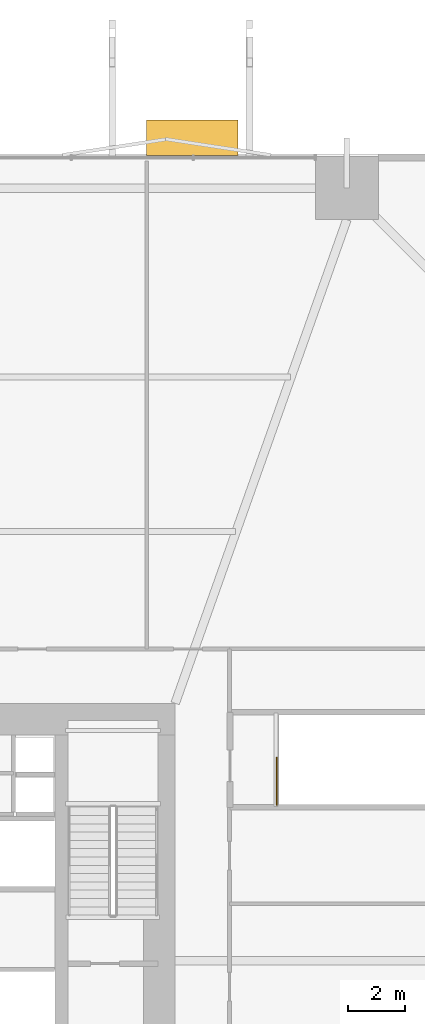
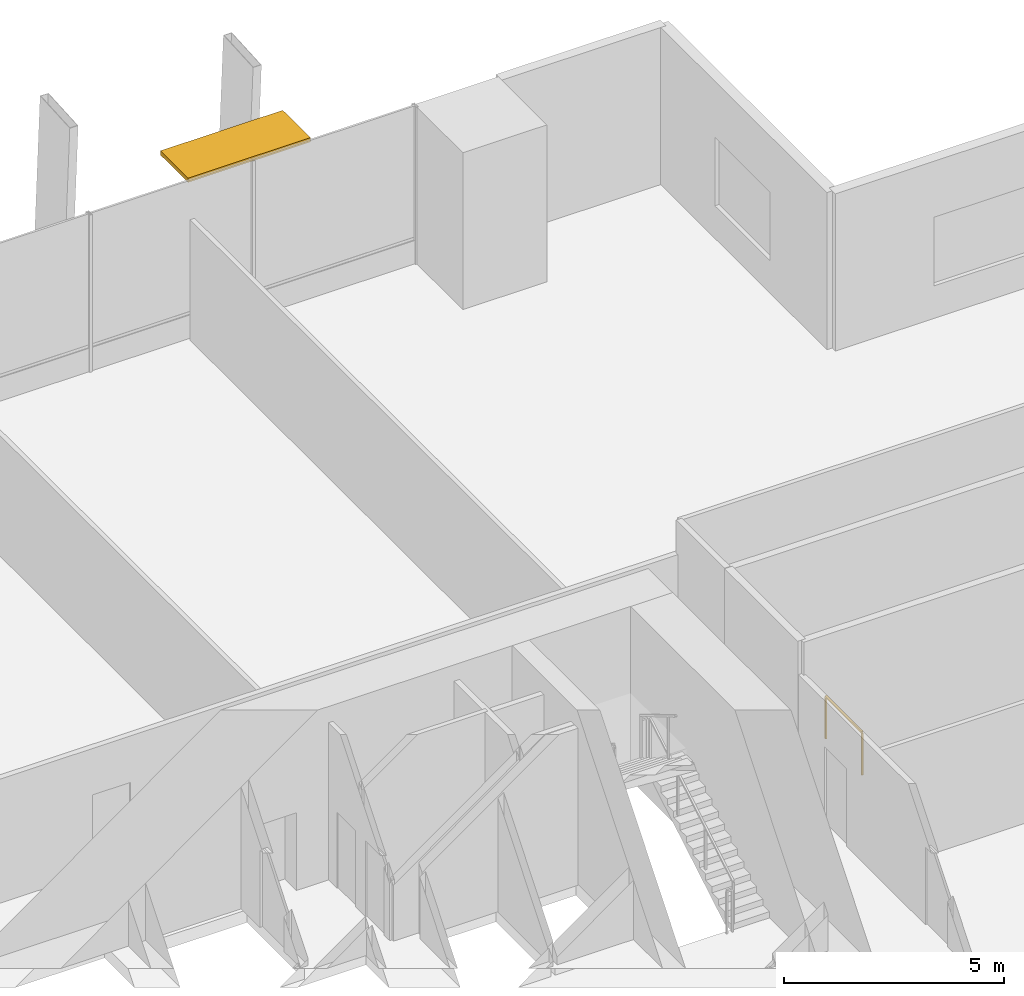
# One storey, part 24 of 24: 1 railing, 1 shading device.
"""IFC4 building model written with IfcOpenShell, lengths in metres."""

from ifc_helpers import new_model, si_unit, direction, frame, origin, origin_2d, place, context, subcontext, project, spatial, rectangle, extrude, material, layer, layer_set, type_object, element, save


model = new_model("IFC4")

# Units and contexts
model_context = context("Model", 3, precision=1e-05, world=origin(), true_north=direction((0.0, 1.0)))
body_context = subcontext(model_context, "Body", "Model", "MODEL_VIEW")
ifc_project = project(units=[si_unit("LENGTHUNIT", "METRE"), si_unit("AREAUNIT", "SQUARE_METRE"), si_unit("VOLUMEUNIT", "CUBIC_METRE"), si_unit("PLANEANGLEUNIT", "RADIAN"), si_unit("MASSUNIT", "GRAM", prefix="KILO")], contexts=[model_context])

# Site, building, storey
site_placement = place(None, origin())
site = spatial("IfcSite", under=ifc_project, at=site_placement, CompositionType="ELEMENT")
building_placement = place(site_placement, origin())
building = spatial("IfcBuilding", under=site, at=building_placement, Name="Belovzor Exchange Tower", CompositionType="ELEMENT")
storey_placement = place(building_placement, frame((0.0, 0.0, 19.199951171875)))
storey = spatial("IfcBuildingStorey", under=building, at=storey_placement, Name="L04", CompositionType="ELEMENT", Elevation=19.199951171875)

# Railing
ifc_material_1 = material(Name="Steel S355", Category="steel")
railing_type = type_object("IfcRailingType", Name="Painted Steel Stairwell Guardrail 1200", PredefinedType="GUARDRAIL", material=ifc_material_1)
railing_placement = place(storey_placement, frame((41.35009765625, 34.25, 0.0)))
element("IfcRailing", 1, at=railing_placement, inside=storey, type_object=railing_type, Name="L04 ST-4 top well guard 1", PredefinedType="GUARDRAIL", context=body_context, shape_type="SweptSolid", body=[
    extrude(rectangle(XDim=0.048095703125, YDim=0.048095703125, at=origin_2d()), frame((0.0, 0.0, 1.17578125), z_axis=(0.0, 1.0, 0.0), x_axis=(-1.0, 0.0, 0.0)), (0.0, 0.0, 1.0), 1.64990234375),
    extrude(rectangle(XDim=0.0419921875, YDim=0.0419921875, at=origin_2d()), origin(), (0.0, 0.0, 1.0), 1.15185546875),
    extrude(rectangle(XDim=0.0419921875, YDim=0.0419921875, at=origin_2d()), frame((0.0, 1.64990234375, 0.0)), (0.0, 0.0, 1.0), 1.15185546875),
])

# Shading device
ifc_material_2 = material(Name="Extruded Architectural Terracotta", Category="masonry")
ifc_layer = layer(ifc_material_2, 0.1201171875)
ifc_layer_set = layer_set([ifc_layer], Name="Extruded Architectural Terracotta")
shading_device_type = type_object("IfcShadingDeviceType", Name="Streamline Terracotta Horizontal Sunshade Hood 1250", PredefinedType="AWNING", material=ifc_layer_set)
shading_device_placement = place(storey_placement, frame((38.39990234375, 57.56494140625, 4.22998046875), z_axis=(0.0, 0.0, 1.0), x_axis=(1.0, 0.0, 0.0)))
element("IfcShadingDevice", 2, at=shading_device_placement, inside=storey, type_object=shading_device_type, Name="SHD-TC125 Terracotta Sunshade L04 N", PredefinedType="AWNING", context=body_context, shape_type="SweptSolid", body=[
    extrude(rectangle(XDim=3.199951171875, YDim=1.25, at=origin_2d()), origin(), (0.0, 0.0, 1.0), 0.1201171875),
])

save(model, "model.ifc")
